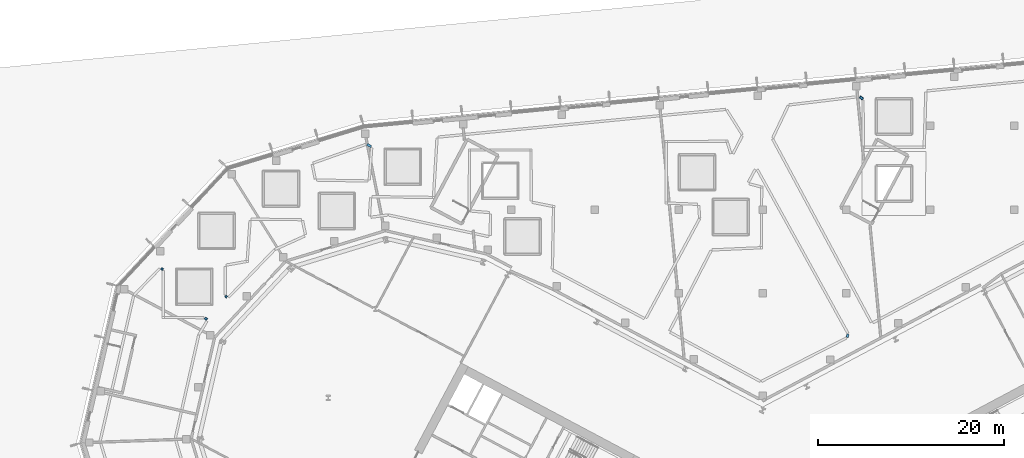
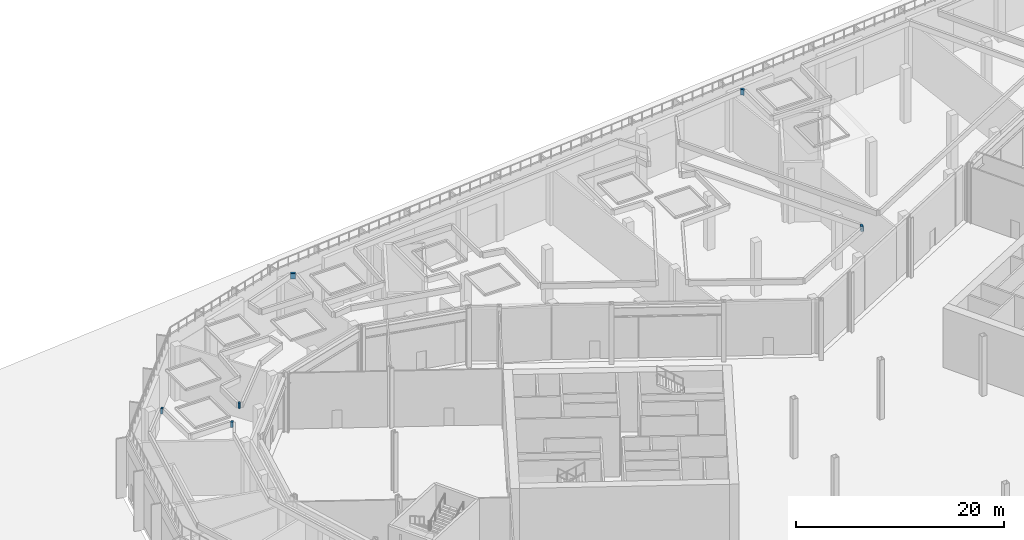
# One storey, part 30 of 57: 6 walls.
"""IFC4 building model written with IfcOpenShell, lengths in metres."""

from ifc_helpers import new_model, si_unit, direction, frame, frame_2d, origin, place, context, subcontext, project, spatial, rectangle, extrude, material, layer, layer_set, type_object, element, save


model = new_model("IFC4")

# Units and contexts
model_context = context("Model", 3, precision=1e-05, world=origin(), true_north=direction((0.0, 1.0)))
body_context = subcontext(model_context, "Body", "Model", "MODEL_VIEW")
ifc_project = project(units=[si_unit("LENGTHUNIT", "METRE"), si_unit("AREAUNIT", "SQUARE_METRE"), si_unit("VOLUMEUNIT", "CUBIC_METRE"), si_unit("PLANEANGLEUNIT", "RADIAN"), si_unit("MASSUNIT", "GRAM", prefix="KILO")], contexts=[model_context])

# Site, building, storey
site_placement = place(None, origin())
site = spatial("IfcSite", under=ifc_project, at=site_placement, CompositionType="ELEMENT")
building_placement = place(site_placement, origin())
building = spatial("IfcBuilding", under=site, at=building_placement, Name="Cormorant Relay Tower", CompositionType="ELEMENT")
storey_placement = place(building_placement, origin())
storey = spatial("IfcBuildingStorey", under=building, at=storey_placement, Name="L00", CompositionType="ELEMENT", Elevation=0.0)

# Walls
ifc_material = material(Name="Concrete 40 MPa", Category="concrete")
ifc_layer = layer(ifc_material, 0.25)
ifc_layer_set = layer_set([ifc_layer], Name="Planter kerb 250")
wall_type = type_object("IfcWallType", Name="Planter kerb 250", PredefinedType="STANDARD", material=ifc_layer_set)
wall_1_placement = place(storey_placement, frame((-64.540283203125, 38.68017578125, 7.0), z_axis=(0.0, 0.0, 1.0), x_axis=(0.714427882445, -0.699709082966, 0.0)))
element("IfcWall", 1, at=wall_1_placement, inside=storey, type_object=wall_type, Name="PLANTER 06 kerb", PredefinedType="STANDARD", context=body_context, shape_type="SweptSolid", body=[
    extrude(rectangle(XDim=0.215576171875, YDim=0.25, at=frame_2d((0.10791015625, 0.0))), origin(), (0.0, 0.0, 1.0), 0.64990234375),
])
wall_2_placement = place(storey_placement, frame((-59.853759765625, 33.360107421875, 7.0), z_axis=(0.0, 0.0, 1.0), x_axis=(0.715006669013, -0.699117631924, 0.0)))
element("IfcWall", 2, at=wall_2_placement, inside=storey, type_object=wall_type, Name="PLANTER 06 kerb", PredefinedType="STANDARD", context=body_context, shape_type="SweptSolid", body=[
    extrude(rectangle(XDim=0.26123046875, YDim=0.25, at=frame_2d((0.130615234375, 0.0))), origin(), (0.0, 0.0, 1.0), 0.64990234375),
])
wall_3_placement = place(storey_placement, frame((9.1748046875, 31.622314453125, 7.0), z_axis=(0.0, 0.0, 1.0), x_axis=(-0.291902944201, -0.956447944829, 0.0)))
element("IfcWall", 3, at=wall_3_placement, inside=storey, type_object=wall_type, Name="PLANTER 08 kerb", PredefinedType="STANDARD", context=body_context, shape_type="SweptSolid", body=[
    extrude(rectangle(XDim=0.353759765625, YDim=0.25, at=frame_2d((0.1767578125, 0.0))), origin(), (0.0, 0.0, 1.0), 0.64990234375),
])
wall_4_placement = place(storey_placement, frame((10.472900390625, 57.10107421875, 7.0), z_axis=(0.0, 0.0, 1.0), x_axis=(0.740419787082, -0.672144730618, 0.0)))
element("IfcWall", 4, at=wall_4_placement, inside=storey, type_object=wall_type, Name="PLANTER 10 kerb", PredefinedType="STANDARD", context=body_context, shape_type="SweptSolid", body=[
    extrude(rectangle(XDim=0.368408203125, YDim=0.25, at=frame_2d((0.18408203125, 0.0))), origin(), (0.0, 0.0, 1.0), 0.64990234375),
])
wall_5_placement = place(storey_placement, frame((-57.507080078125, 35.57470703125, 7.0), z_axis=(0.0, 0.0, 1.0), x_axis=(-0.715547256149, 0.698564330766, 0.0)))
element("IfcWall", 5, at=wall_5_placement, inside=storey, type_object=wall_type, Name="PLANTER 12 kerb", PredefinedType="STANDARD", context=body_context, shape_type="SweptSolid", body=[
    extrude(rectangle(XDim=0.215576171875, YDim=0.25, at=frame_2d((0.10791015625, 0.0))), origin(), (0.0, 0.0, 1.0), 0.64990234375),
])
wall_6_placement = place(storey_placement, frame((-42.466064453125, 51.99365234375, 7.0), z_axis=(0.0, 0.0, 1.0), x_axis=(0.880986906763, -0.47314064517, 0.0)))
element("IfcWall", 6, at=wall_6_placement, inside=storey, type_object=wall_type, Name="PLANTER 14 kerb", PredefinedType="STANDARD", context=body_context, shape_type="SweptSolid", body=[
    extrude(rectangle(XDim=0.5009765625, YDim=0.25, at=frame_2d((0.25048828125, 0.0))), origin(), (0.0, 0.0, 1.0), 0.64990234375),
])

save(model, "model.ifc")
